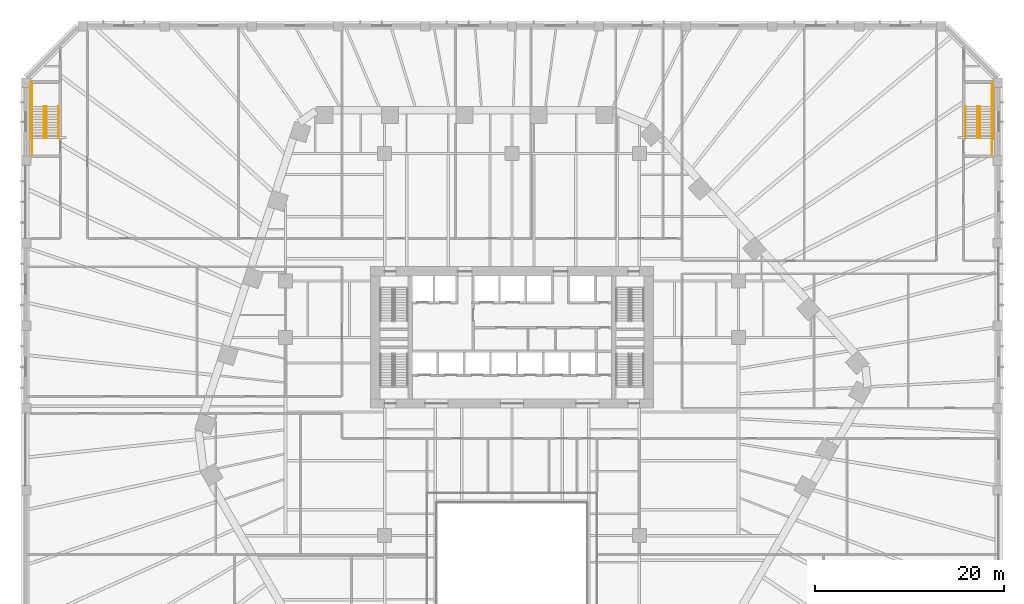
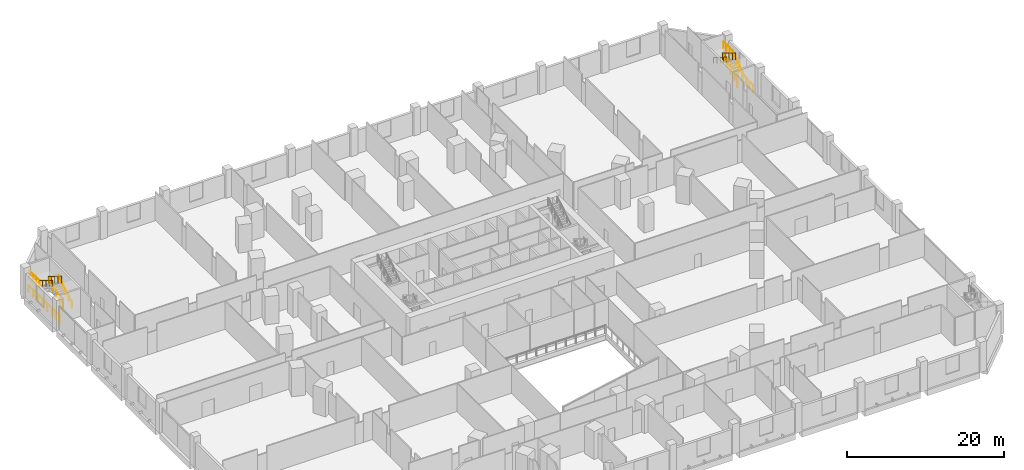
# One storey, part 33 of 33: 14 railings.
"""IFC4 building model written with IfcOpenShell, lengths in metres."""

from ifc_helpers import new_model, si_unit, direction, frame, origin, origin_2d, place, context, subcontext, project, spatial, circle, extrude, material, type_object, element, save


model = new_model("IFC4")

# Units and contexts
model_context = context("Model", 3, precision=1e-05, world=origin(), true_north=direction((0.0, 1.0)))
body_context = subcontext(model_context, "Body", "Model", "MODEL_VIEW")
ifc_project = project(units=[si_unit("LENGTHUNIT", "METRE"), si_unit("AREAUNIT", "SQUARE_METRE"), si_unit("VOLUMEUNIT", "CUBIC_METRE"), si_unit("PLANEANGLEUNIT", "RADIAN"), si_unit("MASSUNIT", "GRAM", prefix="KILO")], contexts=[model_context])

# Site, building, storey
site_placement = place(None, origin())
site = spatial("IfcSite", under=ifc_project, at=site_placement, CompositionType="ELEMENT")
building_placement = place(site_placement, origin())
building = spatial("IfcBuilding", under=site, at=building_placement, Name="Isthmus Gate Tower", CompositionType="ELEMENT")
storey_placement = place(building_placement, frame((0.0, 0.0, 31.5)))
storey = spatial("IfcBuildingStorey", under=building, at=storey_placement, Name="L05", CompositionType="ELEMENT", Elevation=31.5)

# Railings
ifc_material_1 = material(Name="Painted steel balusters with timber handrail", Category="steel")
railing_type_1 = type_object("IfcRailingType", Name="Podium stair guard 1100", PredefinedType="GUARDRAIL", material=ifc_material_1)
railing_1_placement = place(storey_placement, frame((49.60009765625, 28.625, 0.173095703125)))
element("IfcRailing", 1, at=railing_1_placement, inside=storey, type_object=railing_type_1, Name="L05 ST5 stair guard 1", PredefinedType="GUARDRAIL", context=body_context, shape_type="SweptSolid", body=[
    extrude(circle(Radius=0.02392578125, at=origin_2d()), frame((0.0, 0.0, 1.076171875), z_axis=(0.0, 0.850623216509, 0.525775754039), x_axis=(-1.0, 0.0, 0.0)), (0.0, 0.0, 1.0), 3.9501953125),
    extrude(circle(Radius=0.02099609375, at=origin_2d()), origin(), (0.0, 0.0, 1.0), 1.052001953125),
    extrude(circle(Radius=0.02099609375, at=origin_2d()), frame((0.0, 0.840087890625, 0.519287109375)), (0.0, 0.0, 1.0), 1.052001953125),
    extrude(circle(Radius=0.02099609375, at=origin_2d()), frame((0.0, 1.68017578125, 1.03857421875)), (0.0, 0.0, 1.0), 1.052001953125),
    extrude(circle(Radius=0.02099609375, at=origin_2d()), frame((0.0, 2.52001953125, 1.5576171875)), (0.0, 0.0, 1.0), 1.052001953125),
    extrude(circle(Radius=0.02099609375, at=origin_2d()), frame((0.0, 3.360107421875, 2.076904296875)), (0.0, 0.0, 1.0), 1.052001953125),
])
railing_2_placement = place(storey_placement, frame((50.89990234375, 31.985107421875, 2.25)))
element("IfcRailing", 2, at=railing_2_placement, inside=storey, type_object=railing_type_1, Name="L05 ST5 stair guard 2", PredefinedType="GUARDRAIL", context=body_context, shape_type="SweptSolid", body=[
    extrude(circle(Radius=0.02392578125, at=origin_2d()), frame((0.0, 0.0, 1.076171875), z_axis=(0.0, 1.0, 0.0), x_axis=(-1.0, 0.0, 0.0)), (0.0, 0.0, 1.0), 2.43994140625),
    extrude(circle(Radius=0.02099609375, at=origin_2d()), origin(), (0.0, 0.0, 1.0), 1.052001953125),
    extrude(circle(Radius=0.02099609375, at=origin_2d()), frame((0.0, 0.813232421875, 0.0)), (0.0, 0.0, 1.0), 1.052001953125),
    extrude(circle(Radius=0.02099609375, at=origin_2d()), frame((0.0, 1.626708984375, 0.0)), (0.0, 0.0, 1.0), 1.052001953125),
    extrude(circle(Radius=0.02099609375, at=origin_2d()), frame((0.0, 2.43994140625, 0.0)), (0.0, 0.0, 1.0), 1.052001953125),
])
railing_3_placement = place(storey_placement, frame((49.35009765625, 31.985107421875, 2.423095703125)))
element("IfcRailing", 3, at=railing_3_placement, inside=storey, type_object=railing_type_1, Name="L05 ST5 stair guard 3", PredefinedType="GUARDRAIL", context=body_context, shape_type="SweptSolid", body=[
    extrude(circle(Radius=0.02392578125, at=origin_2d()), frame((0.0, 0.0, 1.076171875), z_axis=(0.0, -0.850623216509, 0.525775754039), x_axis=(1.0, 0.0, 0.0)), (0.0, 0.0, 1.0), 3.9501953125),
    extrude(circle(Radius=0.02099609375, at=origin_2d()), origin(), (0.0, 0.0, 1.0), 1.052001953125),
    extrude(circle(Radius=0.02099609375, at=origin_2d()), frame((0.0, -0.840087890625, 0.519287109375)), (0.0, 0.0, 1.0), 1.052001953125),
    extrude(circle(Radius=0.02099609375, at=origin_2d()), frame((0.0, -1.68017578125, 1.03857421875)), (0.0, 0.0, 1.0), 1.052001953125),
    extrude(circle(Radius=0.02099609375, at=origin_2d()), frame((0.0, -2.52001953125, 1.5576171875)), (0.0, 0.0, 1.0), 1.052001953125),
    extrude(circle(Radius=0.02099609375, at=origin_2d()), frame((0.0, -3.360107421875, 2.076904296875)), (0.0, 0.0, 1.0), 1.052001953125),
])
railing_4_placement = place(storey_placement, frame((50.89990234375, 26.824951171875, 0.0)))
element("IfcRailing", 4, at=railing_4_placement, inside=storey, type_object=railing_type_1, Name="L05 ST5 stair guard 4", PredefinedType="GUARDRAIL", context=body_context, shape_type="SweptSolid", body=[
    extrude(circle(Radius=0.02392578125, at=origin_2d()), frame((0.0, 0.0, 1.076171875), z_axis=(0.0, 1.0, 0.0), x_axis=(-1.0, 0.0, 0.0)), (0.0, 0.0, 1.0), 1.800048828125),
    extrude(circle(Radius=0.02099609375, at=origin_2d()), origin(), (0.0, 0.0, 1.0), 1.052001953125),
    extrude(circle(Radius=0.02099609375, at=origin_2d()), frame((0.0, 0.89990234375, 0.0)), (0.0, 0.0, 1.0), 1.052001953125),
    extrude(circle(Radius=0.02099609375, at=origin_2d()), frame((0.0, 1.800048828125, 0.0)), (0.0, 0.0, 1.0), 1.052001953125),
])
railing_5_placement = place(storey_placement, frame((51.0, 28.52490234375, 0.0)))
element("IfcRailing", 5, at=railing_5_placement, inside=storey, type_object=railing_type_1, Name="L05 ST5 stair guard 5", PredefinedType="GUARDRAIL", context=body_context, shape_type="SweptSolid", body=[
    extrude(circle(Radius=0.02392578125, at=origin_2d()), frame((0.0, 0.0, 1.076171875), z_axis=(0.0, 1.0, 0.0), x_axis=(-1.0, 0.0, 0.0)), (0.0, 0.0, 1.0), 6.0),
    extrude(circle(Radius=0.02099609375, at=origin_2d()), origin(), (0.0, 0.0, 1.0), 1.052001953125),
    extrude(circle(Radius=0.02099609375, at=origin_2d()), frame((0.0, 1.199951171875, 0.0)), (0.0, 0.0, 1.0), 1.052001953125),
    extrude(circle(Radius=0.02099609375, at=origin_2d()), frame((0.0, 2.39990234375, 0.0)), (0.0, 0.0, 1.0), 1.052001953125),
    extrude(circle(Radius=0.02099609375, at=origin_2d()), frame((0.0, 3.60009765625, 0.0)), (0.0, 0.0, 1.0), 1.052001953125),
    extrude(circle(Radius=0.02099609375, at=origin_2d()), frame((0.0, 4.800048828125, 0.0)), (0.0, 0.0, 1.0), 1.052001953125),
    extrude(circle(Radius=0.02099609375, at=origin_2d()), frame((0.0, 6.0, 0.0)), (0.0, 0.0, 1.0), 1.052001953125),
])
railing_6_placement = place(storey_placement, frame((-49.35009765625, 28.625, 0.173095703125)))
element("IfcRailing", 6, at=railing_6_placement, inside=storey, type_object=railing_type_1, Name="L05 ST6 stair guard 1", PredefinedType="GUARDRAIL", context=body_context, shape_type="SweptSolid", body=[
    extrude(circle(Radius=0.02392578125, at=origin_2d()), frame((0.0, 0.0, 1.076171875), z_axis=(0.0, 0.850623216509, 0.525775754039), x_axis=(-1.0, 0.0, 0.0)), (0.0, 0.0, 1.0), 3.9501953125),
    extrude(circle(Radius=0.02099609375, at=origin_2d()), origin(), (0.0, 0.0, 1.0), 1.052001953125),
    extrude(circle(Radius=0.02099609375, at=origin_2d()), frame((0.0, 0.840087890625, 0.519287109375)), (0.0, 0.0, 1.0), 1.052001953125),
    extrude(circle(Radius=0.02099609375, at=origin_2d()), frame((0.0, 1.68017578125, 1.03857421875)), (0.0, 0.0, 1.0), 1.052001953125),
    extrude(circle(Radius=0.02099609375, at=origin_2d()), frame((0.0, 2.52001953125, 1.5576171875)), (0.0, 0.0, 1.0), 1.052001953125),
    extrude(circle(Radius=0.02099609375, at=origin_2d()), frame((0.0, 3.360107421875, 2.076904296875)), (0.0, 0.0, 1.0), 1.052001953125),
])
railing_7_placement = place(storey_placement, frame((-50.89990234375, 31.985107421875, 2.25)))
element("IfcRailing", 7, at=railing_7_placement, inside=storey, type_object=railing_type_1, Name="L05 ST6 stair guard 2", PredefinedType="GUARDRAIL", context=body_context, shape_type="SweptSolid", body=[
    extrude(circle(Radius=0.02392578125, at=origin_2d()), frame((0.0, 0.0, 1.076171875), z_axis=(0.0, 1.0, 0.0), x_axis=(-1.0, 0.0, 0.0)), (0.0, 0.0, 1.0), 2.43994140625),
    extrude(circle(Radius=0.02099609375, at=origin_2d()), origin(), (0.0, 0.0, 1.0), 1.052001953125),
    extrude(circle(Radius=0.02099609375, at=origin_2d()), frame((0.0, 0.813232421875, 0.0)), (0.0, 0.0, 1.0), 1.052001953125),
    extrude(circle(Radius=0.02099609375, at=origin_2d()), frame((0.0, 1.626708984375, 0.0)), (0.0, 0.0, 1.0), 1.052001953125),
    extrude(circle(Radius=0.02099609375, at=origin_2d()), frame((0.0, 2.43994140625, 0.0)), (0.0, 0.0, 1.0), 1.052001953125),
])
railing_8_placement = place(storey_placement, frame((-49.60009765625, 31.985107421875, 2.423095703125)))
element("IfcRailing", 8, at=railing_8_placement, inside=storey, type_object=railing_type_1, Name="L05 ST6 stair guard 3", PredefinedType="GUARDRAIL", context=body_context, shape_type="SweptSolid", body=[
    extrude(circle(Radius=0.02392578125, at=origin_2d()), frame((0.0, 0.0, 1.076171875), z_axis=(0.0, -0.850623216509, 0.525775754039), x_axis=(1.0, 0.0, 0.0)), (0.0, 0.0, 1.0), 3.9501953125),
    extrude(circle(Radius=0.02099609375, at=origin_2d()), origin(), (0.0, 0.0, 1.0), 1.052001953125),
    extrude(circle(Radius=0.02099609375, at=origin_2d()), frame((0.0, -0.840087890625, 0.519287109375)), (0.0, 0.0, 1.0), 1.052001953125),
    extrude(circle(Radius=0.02099609375, at=origin_2d()), frame((0.0, -1.68017578125, 1.03857421875)), (0.0, 0.0, 1.0), 1.052001953125),
    extrude(circle(Radius=0.02099609375, at=origin_2d()), frame((0.0, -2.52001953125, 1.5576171875)), (0.0, 0.0, 1.0), 1.052001953125),
    extrude(circle(Radius=0.02099609375, at=origin_2d()), frame((0.0, -3.360107421875, 2.076904296875)), (0.0, 0.0, 1.0), 1.052001953125),
])
railing_9_placement = place(storey_placement, frame((-50.89990234375, 26.824951171875, 0.0)))
element("IfcRailing", 9, at=railing_9_placement, inside=storey, type_object=railing_type_1, Name="L05 ST6 stair guard 4", PredefinedType="GUARDRAIL", context=body_context, shape_type="SweptSolid", body=[
    extrude(circle(Radius=0.02392578125, at=origin_2d()), frame((0.0, 0.0, 1.076171875), z_axis=(0.0, 1.0, 0.0), x_axis=(-1.0, 0.0, 0.0)), (0.0, 0.0, 1.0), 1.800048828125),
    extrude(circle(Radius=0.02099609375, at=origin_2d()), origin(), (0.0, 0.0, 1.0), 1.052001953125),
    extrude(circle(Radius=0.02099609375, at=origin_2d()), frame((0.0, 0.89990234375, 0.0)), (0.0, 0.0, 1.0), 1.052001953125),
    extrude(circle(Radius=0.02099609375, at=origin_2d()), frame((0.0, 1.800048828125, 0.0)), (0.0, 0.0, 1.0), 1.052001953125),
])
railing_10_placement = place(storey_placement, frame((-51.0, 28.52490234375, 0.0)))
element("IfcRailing", 10, at=railing_10_placement, inside=storey, type_object=railing_type_1, Name="L05 ST6 stair guard 5", PredefinedType="GUARDRAIL", context=body_context, shape_type="SweptSolid", body=[
    extrude(circle(Radius=0.02392578125, at=origin_2d()), frame((0.0, 0.0, 1.076171875), z_axis=(0.0, 1.0, 0.0), x_axis=(-1.0, 0.0, 0.0)), (0.0, 0.0, 1.0), 6.0),
    extrude(circle(Radius=0.02099609375, at=origin_2d()), origin(), (0.0, 0.0, 1.0), 1.052001953125),
    extrude(circle(Radius=0.02099609375, at=origin_2d()), frame((0.0, 1.199951171875, 0.0)), (0.0, 0.0, 1.0), 1.052001953125),
    extrude(circle(Radius=0.02099609375, at=origin_2d()), frame((0.0, 2.39990234375, 0.0)), (0.0, 0.0, 1.0), 1.052001953125),
    extrude(circle(Radius=0.02099609375, at=origin_2d()), frame((0.0, 3.60009765625, 0.0)), (0.0, 0.0, 1.0), 1.052001953125),
    extrude(circle(Radius=0.02099609375, at=origin_2d()), frame((0.0, 4.800048828125, 0.0)), (0.0, 0.0, 1.0), 1.052001953125),
    extrude(circle(Radius=0.02099609375, at=origin_2d()), frame((0.0, 6.0, 0.0)), (0.0, 0.0, 1.0), 1.052001953125),
])
ifc_material_2 = material(Name="Stainless steel tube", Category="steel")
railing_type_2 = type_object("IfcRailingType", Name="Podium stair handrail 900", PredefinedType="HANDRAIL", material=ifc_material_2)
railing_11_placement = place(storey_placement, frame((50.89990234375, 28.625, 0.173095703125)))
element("IfcRailing", 11, at=railing_11_placement, inside=storey, type_object=railing_type_2, Name="L05 ST5 stair handrail 1", PredefinedType="HANDRAIL", context=body_context, shape_type="SweptSolid", body=[
    extrude(circle(Radius=0.02392578125, at=origin_2d()), frame((0.0, 0.0, 0.8759765625), z_axis=(0.0, 0.850623216509, 0.525775754039), x_axis=(-1.0, 0.0, 0.0)), (0.0, 0.0, 1.0), 3.9501953125),
    extrude(circle(Radius=0.02099609375, at=origin_2d()), origin(), (0.0, 0.0, 1.0), 0.851806640625),
    extrude(circle(Radius=0.02099609375, at=origin_2d()), frame((0.0, 0.840087890625, 0.519287109375)), (0.0, 0.0, 1.0), 0.851806640625),
    extrude(circle(Radius=0.02099609375, at=origin_2d()), frame((0.0, 1.68017578125, 1.03857421875)), (0.0, 0.0, 1.0), 0.851806640625),
    extrude(circle(Radius=0.02099609375, at=origin_2d()), frame((0.0, 2.52001953125, 1.5576171875)), (0.0, 0.0, 1.0), 0.851806640625),
    extrude(circle(Radius=0.02099609375, at=origin_2d()), frame((0.0, 3.360107421875, 2.076904296875)), (0.0, 0.0, 1.0), 0.851806640625),
])
railing_12_placement = place(storey_placement, frame((48.050048828125, 31.985107421875, 2.423095703125)))
element("IfcRailing", 12, at=railing_12_placement, inside=storey, type_object=railing_type_2, Name="L05 ST5 stair handrail 2", PredefinedType="HANDRAIL", context=body_context, shape_type="SweptSolid", body=[
    extrude(circle(Radius=0.02392578125, at=origin_2d()), frame((0.0, 0.0, 0.8759765625), z_axis=(0.0, -0.850623216509, 0.525775754039), x_axis=(1.0, 0.0, 0.0)), (0.0, 0.0, 1.0), 3.9501953125),
    extrude(circle(Radius=0.02099609375, at=origin_2d()), origin(), (0.0, 0.0, 1.0), 0.851806640625),
    extrude(circle(Radius=0.02099609375, at=origin_2d()), frame((0.0, -0.840087890625, 0.519287109375)), (0.0, 0.0, 1.0), 0.851806640625),
    extrude(circle(Radius=0.02099609375, at=origin_2d()), frame((0.0, -1.68017578125, 1.03857421875)), (0.0, 0.0, 1.0), 0.851806640625),
    extrude(circle(Radius=0.02099609375, at=origin_2d()), frame((0.0, -2.52001953125, 1.5576171875)), (0.0, 0.0, 1.0), 0.851806640625),
    extrude(circle(Radius=0.02099609375, at=origin_2d()), frame((0.0, -3.360107421875, 2.076904296875)), (0.0, 0.0, 1.0), 0.851806640625),
])
railing_13_placement = place(storey_placement, frame((-48.050048828125, 28.625, 0.173095703125)))
element("IfcRailing", 13, at=railing_13_placement, inside=storey, type_object=railing_type_2, Name="L05 ST6 stair handrail 1", PredefinedType="HANDRAIL", context=body_context, shape_type="SweptSolid", body=[
    extrude(circle(Radius=0.02392578125, at=origin_2d()), frame((0.0, 0.0, 0.8759765625), z_axis=(0.0, 0.850623216509, 0.525775754039), x_axis=(-1.0, 0.0, 0.0)), (0.0, 0.0, 1.0), 3.9501953125),
    extrude(circle(Radius=0.02099609375, at=origin_2d()), origin(), (0.0, 0.0, 1.0), 0.851806640625),
    extrude(circle(Radius=0.02099609375, at=origin_2d()), frame((0.0, 0.840087890625, 0.519287109375)), (0.0, 0.0, 1.0), 0.851806640625),
    extrude(circle(Radius=0.02099609375, at=origin_2d()), frame((0.0, 1.68017578125, 1.03857421875)), (0.0, 0.0, 1.0), 0.851806640625),
    extrude(circle(Radius=0.02099609375, at=origin_2d()), frame((0.0, 2.52001953125, 1.5576171875)), (0.0, 0.0, 1.0), 0.851806640625),
    extrude(circle(Radius=0.02099609375, at=origin_2d()), frame((0.0, 3.360107421875, 2.076904296875)), (0.0, 0.0, 1.0), 0.851806640625),
])
railing_14_placement = place(storey_placement, frame((-50.89990234375, 31.985107421875, 2.423095703125)))
element("IfcRailing", 14, at=railing_14_placement, inside=storey, type_object=railing_type_2, Name="L05 ST6 stair handrail 2", PredefinedType="HANDRAIL", context=body_context, shape_type="SweptSolid", body=[
    extrude(circle(Radius=0.02392578125, at=origin_2d()), frame((0.0, 0.0, 0.8759765625), z_axis=(0.0, -0.850623216509, 0.525775754039), x_axis=(1.0, 0.0, 0.0)), (0.0, 0.0, 1.0), 3.9501953125),
    extrude(circle(Radius=0.02099609375, at=origin_2d()), origin(), (0.0, 0.0, 1.0), 0.851806640625),
    extrude(circle(Radius=0.02099609375, at=origin_2d()), frame((0.0, -0.840087890625, 0.519287109375)), (0.0, 0.0, 1.0), 0.851806640625),
    extrude(circle(Radius=0.02099609375, at=origin_2d()), frame((0.0, -1.68017578125, 1.03857421875)), (0.0, 0.0, 1.0), 0.851806640625),
    extrude(circle(Radius=0.02099609375, at=origin_2d()), frame((0.0, -2.52001953125, 1.5576171875)), (0.0, 0.0, 1.0), 0.851806640625),
    extrude(circle(Radius=0.02099609375, at=origin_2d()), frame((0.0, -3.360107421875, 2.076904296875)), (0.0, 0.0, 1.0), 0.851806640625),
])

save(model, "model.ifc")
